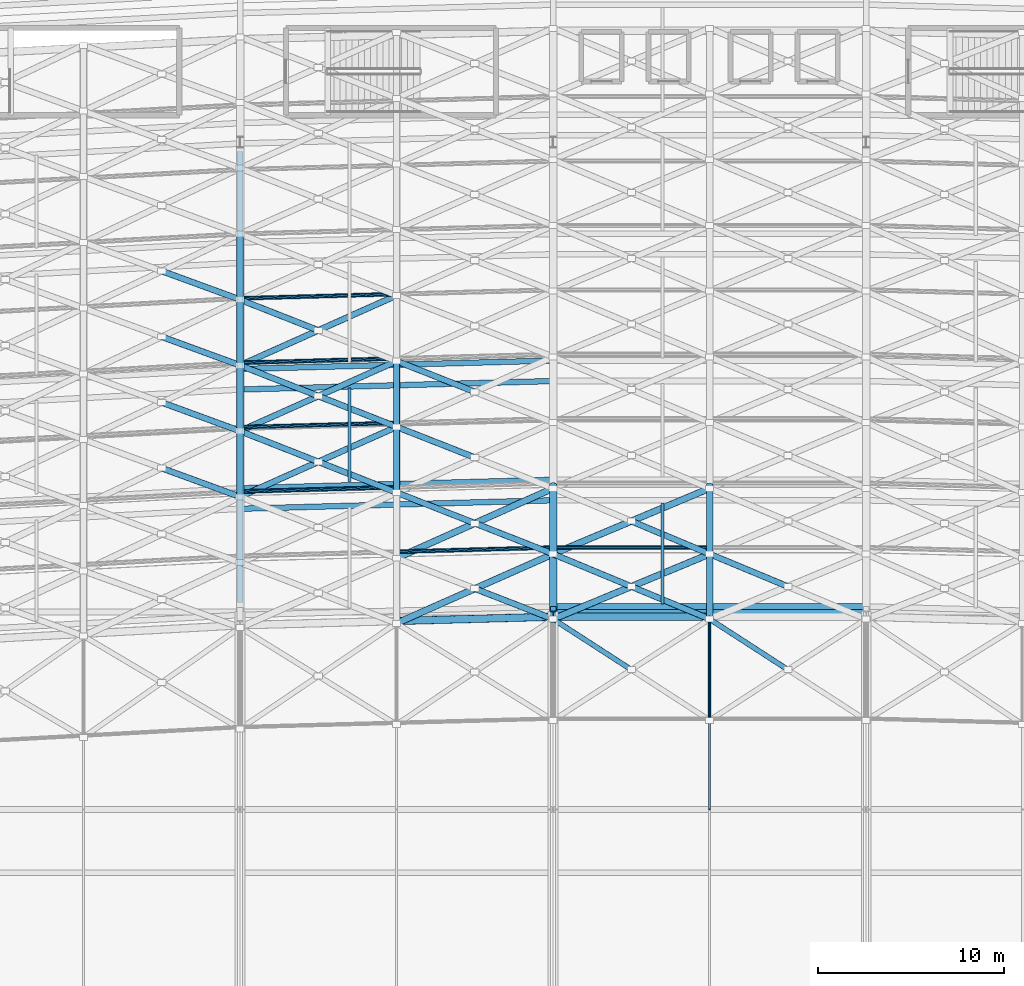
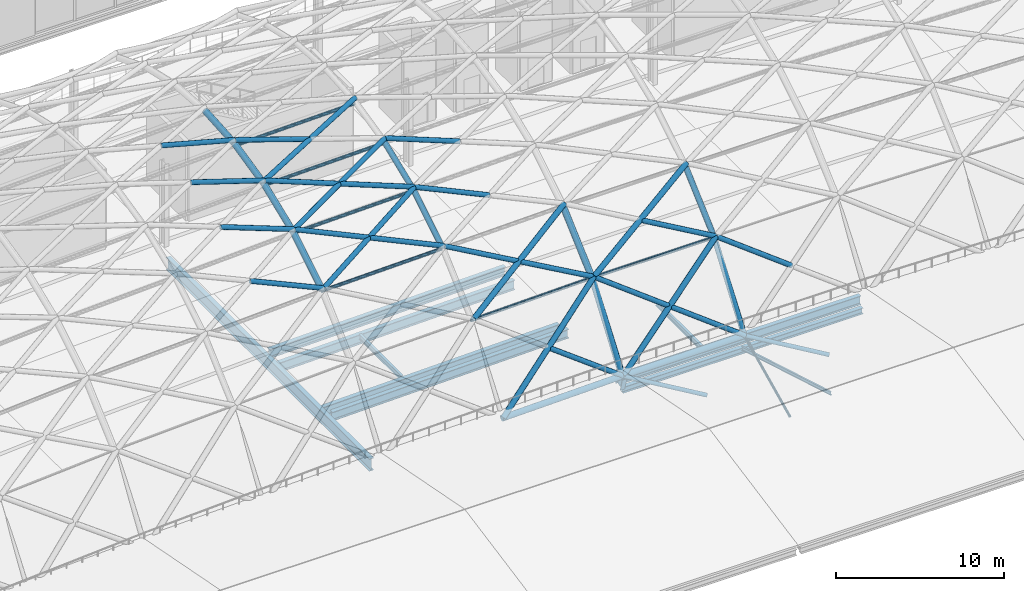
# One storey, part 18 of 100: 48 members, 9 beams.
"""IFC4 building model written with IfcOpenShell, lengths in metres."""

from ifc_helpers import new_model, si_unit, direction, frame, origin, origin_2d, place, context, subcontext, project, spatial, hollow_circle, i_section, extrude, material, material_profile, profile_set, type_object, element, save


model = new_model("IFC4")

# Units and contexts
model_context = context("Model", 3, precision=1e-05, world=origin(), true_north=direction((0.0, 1.0)))
body_context = subcontext(model_context, "Body", "Model", "MODEL_VIEW")
ifc_project = project(units=[si_unit("LENGTHUNIT", "METRE"), si_unit("AREAUNIT", "SQUARE_METRE"), si_unit("VOLUMEUNIT", "CUBIC_METRE"), si_unit("PLANEANGLEUNIT", "RADIAN"), si_unit("MASSUNIT", "GRAM", prefix="KILO")], contexts=[model_context])

# Site, building, storey
site_placement = place(None, origin())
site = spatial("IfcSite", under=ifc_project, at=site_placement, CompositionType="ELEMENT")
building_placement = place(site_placement, origin())
building = spatial("IfcBuilding", under=site, at=building_placement, Name="Kimbaza Rail Terminus", CompositionType="ELEMENT")
storey_placement = place(building_placement, frame((0.0, 0.0, 10.800048828125)))
storey = spatial("IfcBuildingStorey", under=building, at=storey_placement, Name="L02", CompositionType="ELEMENT", Elevation=10.800048828125)

# Beams
ifc_material_1 = material(Name="Steel S355", Category="steel")
ifc_material_profile_1 = material_profile(ifc_material_1, i_section(OverallWidth=0.300048828125, OverallDepth=0.43994140625, WebThickness=0.011474609375, FlangeThickness=0.02099609375, FilletRadius=0.027099609375, at=origin_2d()), Name="HEA 450")
ifc_profile_set_1 = profile_set([ifc_material_profile_1], Name="Steel S355")
beam_type_1 = type_object("IfcBeamType", Name="STR-BM-HEA450", PredefinedType="SPANDREL", material=ifc_profile_set_1)
beam_1_placement = place(storey_placement, frame((105.74609375, 55.0, -1.179931640625), z_axis=(1.0, 0.0, 0.0), x_axis=(0.0, 1.0, 0.0)))
element("IfcBeam", 1, at=beam_1_placement, inside=storey, type_object=beam_type_1, Name="Beam BM-SKYEDGE-55-3", PredefinedType="SPANDREL", context=body_context, shape_type="SweptSolid", body=[
    extrude(i_section(OverallWidth=0.300048828125, OverallDepth=0.43994140625, WebThickness=0.011474609375, FlangeThickness=0.02099609375, FilletRadius=0.027099609375, at=origin_2d()), origin(), (0.0, 0.0, 1.0), 16.5078125),
])
ifc_material_2 = material(Name="Steel S355", Category="steel")
ifc_material_profile_2 = material_profile(ifc_material_2, i_section(OverallWidth=0.300048828125, OverallDepth=0.64990234375, WebThickness=0.01611328125, FlangeThickness=0.031005859375, FilletRadius=0.027099609375, at=origin_2d()), Name="HEB 650")
ifc_profile_set_2 = profile_set([ifc_material_profile_2], Name="Steel S355")
beam_type_2 = type_object("IfcBeamType", Name="STR-BM-HEB650", PredefinedType="USERDEFINED", material=ifc_profile_set_2)
for number, where, z_axis, x_axis, name in (
    (2, (88.945068359375, 60.541748046875, -0.5849609375), (0.999632852013, 0.027095408765, 0.0), (-0.027095408765, 0.999632852013, 0.0), "Viaduct Chorded Girder P1 Bay 05"),
    (3, (88.945068359375, 68.041748046875, -0.5849609375), (0.999632852013, 0.027095408765, 0.0), (-0.027095408765, 0.999632852013, 0.0), "Viaduct Chorded Girder P2 Bay 05"),
):
    element("IfcBeam", number, at=place(storey_placement, frame(where, z_axis=z_axis, x_axis=x_axis)), inside=storey, type_object=beam_type_2, Name=name, ObjectType="GIRDER", PredefinedType="USERDEFINED", context=body_context, shape_type="SweptSolid", body=[
        extrude(i_section(OverallWidth=0.300048828125, OverallDepth=0.64990234375, WebThickness=0.01611328125, FlangeThickness=0.031005859375, FilletRadius=0.027099609375, at=origin_2d()), origin(), (0.0, 0.0, 1.0), 16.51611328125),
    ])
beam_2_placement = place(storey_placement, frame((105.7451171875, 55.293212890625, -0.5849609375), z_axis=(1.0, 0.0, 0.0), x_axis=(0.0, 1.0, 0.0)))
element("IfcBeam", 4, at=beam_2_placement, inside=storey, type_object=beam_type_2, Name="Viaduct Chorded Girder P1 Bay 06", ObjectType="GIRDER", PredefinedType="USERDEFINED", context=body_context, shape_type="SweptSolid", body=[
    extrude(i_section(OverallWidth=0.300048828125, OverallDepth=0.64990234375, WebThickness=0.01611328125, FlangeThickness=0.031005859375, FilletRadius=0.027099609375, at=origin_2d()), origin(), (0.0, 0.0, 1.0), 16.509765625),
])
ifc_material_3 = material(Name="Steel S355", Category="steel")
ifc_material_profile_3 = material_profile(ifc_material_3, i_section(OverallWidth=0.300048828125, OverallDepth=0.699951171875, WebThickness=0.01708984375, FlangeThickness=0.031982421875, FilletRadius=0.027099609375, at=origin_2d()), Name="HEB 700")
ifc_profile_set_3 = profile_set([ifc_material_profile_3], Name="Steel S355")
beam_type_3 = type_object("IfcBeamType", Name="STR-BM-HEB700", PredefinedType="USERDEFINED", material=ifc_profile_set_3)
for number, where, z_axis, x_axis, name in (
    (5, (88.945068359375, 61.6416015625, -0.920166015625), (0.999632852013, 0.027095408765, 0.0), (-0.027095408765, 0.999632852013, 0.0), "Viaduct Chorded Girder TR12 Bay 05"),
    (6, (88.945068359375, 66.941650390625, -0.920166015625), (0.999632852013, 0.027095408765, 0.0), (-0.027095408765, 0.999632852013, 0.0), "Viaduct Chorded Girder TR12 Bay 05"),
):
    element("IfcBeam", number, at=place(storey_placement, frame(where, z_axis=z_axis, x_axis=x_axis)), inside=storey, type_object=beam_type_3, Name=name, ObjectType="GIRDER", PredefinedType="USERDEFINED", context=body_context, shape_type="SweptSolid", body=[
        extrude(i_section(OverallWidth=0.300048828125, OverallDepth=0.699951171875, WebThickness=0.01708984375, FlangeThickness=0.031982421875, FilletRadius=0.027099609375, at=origin_2d()), origin(), (0.0, 0.0, 1.0), 16.51611328125),
    ])
ifc_material_4 = material(Name="Steel S355", Category="steel")
ifc_material_profile_4 = material_profile(ifc_material_4, i_section(OverallWidth=0.302001953125, OverallDepth=0.909912109375, WebThickness=0.02099609375, FlangeThickness=0.0400390625, FilletRadius=0.030029296875, at=origin_2d()), Name="HEM 900")
ifc_profile_set_4 = profile_set([ifc_material_profile_4], Name="Steel S355")
beam_type_4 = type_object("IfcBeamType", Name="STR-BM-HEM900", PredefinedType="USERDEFINED", material=ifc_profile_set_4)
beam_3_placement = place(storey_placement, frame((88.800048828125, 55.498046875, -1.025146484375), z_axis=(0.0, 1.0, 0.0), x_axis=(-1.0, 0.0, 0.0)))
element("IfcBeam", 7, at=beam_3_placement, inside=storey, type_object=beam_type_4, Name="Warren Transfer Truss WT-02 Top Chord", ObjectType="GIRDER", PredefinedType="USERDEFINED", context=body_context, shape_type="SweptSolid", body=[
    extrude(i_section(OverallWidth=0.302001953125, OverallDepth=0.909912109375, WebThickness=0.02099609375, FlangeThickness=0.0400390625, FilletRadius=0.030029296875, at=origin_2d()), origin(), (0.0, 0.0, 1.0), 24.203857421875),
])
ifc_material_5 = material(Name="Steel S355", Category="steel")
ifc_material_profile_5 = material_profile(ifc_material_5, i_section(OverallWidth=0.169921875, OverallDepth=0.360107421875, WebThickness=0.008056640625, FlangeThickness=0.0126953125, FilletRadius=0.01806640625, at=origin_2d()), Name="IPE 360")
ifc_profile_set_5 = profile_set([ifc_material_profile_5], Name="Steel S355")
beam_type_5 = type_object("IfcBeamType", Name="STR-BM-IPE360", PredefinedType="JOIST", material=ifc_profile_set_5)
beam_4_placement = place(storey_placement, frame((94.679931640625, 62.010498046875, -0.75), z_axis=(0.0, 1.0, 0.0), x_axis=(-1.0, 0.0, 0.0)))
element("IfcBeam", 8, at=beam_4_placement, inside=storey, type_object=beam_type_5, Name="Viaduct Diaphragm TR12 Bay 05", PredefinedType="JOIST", context=body_context, shape_type="SweptSolid", body=[
    extrude(i_section(OverallWidth=0.169921875, OverallDepth=0.360107421875, WebThickness=0.008056640625, FlangeThickness=0.0126953125, FilletRadius=0.01806640625, at=origin_2d()), origin(), (0.0, 0.0, 1.0), 5.010009765625),
])
beam_5_placement = place(storey_placement, frame((111.47998046875, 55.43798828125, -0.43994140625), z_axis=(0.0, 1.0, 0.0), x_axis=(-1.0, 0.0, 0.0)))
element("IfcBeam", 9, at=beam_5_placement, inside=storey, type_object=beam_type_5, Name="Viaduct Diaphragm P1 Bay 06", PredefinedType="JOIST", context=body_context, shape_type="SweptSolid", body=[
    extrude(i_section(OverallWidth=0.169921875, OverallDepth=0.360107421875, WebThickness=0.008056640625, FlangeThickness=0.0126953125, FilletRadius=0.01806640625, at=origin_2d()), origin(), (0.0, 0.0, 1.0), 5.41015625),
])

# Members
ifc_material_6 = material(Name="White painted steel S355", Category="steel")
ifc_material_profile_6 = material_profile(ifc_material_6, hollow_circle(Radius=0.084228515625, WallThickness=0.00634765625, at=origin_2d()), Name="CHS 168.3x6.3")
ifc_profile_set_6 = profile_set([ifc_material_profile_6], Name="White painted steel S355")
member_type_1 = type_object("IfcMemberType", Name="STR-MB-CHS168", PredefinedType="RAFTER", material=ifc_profile_set_6)
member_1_placement = place(storey_placement, frame((114.0, 49.292724609375, -2.609375), z_axis=(0.0, 0.901963905621, 0.431811432174), x_axis=(-1.0, 0.0, 0.0)))
element("IfcMember", 10, at=member_1_placement, inside=storey, type_object=member_type_1, Name="Vault lattice arch chord VR-11 seg 1", PredefinedType="RAFTER", context=body_context, shape_type="SweptSolid", body=[
    extrude(hollow_circle(Radius=0.084228515625, WallThickness=0.00634765625, at=origin_2d()), origin(), (0.0, 0.0, 1.0), 6.04296875),
])
ifc_material_7 = material(Name="White painted steel S355", Category="steel")
ifc_material_profile_7 = material_profile(ifc_material_7, hollow_circle(Radius=0.109619140625, WallThickness=0.008056640625, at=origin_2d()), Name="CHS 219.1x8")
ifc_profile_set_7 = profile_set([ifc_material_profile_7], Name="White painted steel S355")
member_type_2 = type_object("IfcMemberType", Name="STR-MB-CHS219", PredefinedType="PURLIN", material=ifc_profile_set_7)
for number, where, z_axis, x_axis, name in (
    (11, (88.800048828125, 61.45947265625, 7.9716796875), (0.999632526959, 0.027107398351, 0.0), (-0.027107398351, 0.999632526959, 0.0), "Vault lattice longitudinal purlin VR-08-VA03"),
    (12, (88.800048828125, 64.91650390625, 10.078857421875), (0.999632526959, 0.027107398351, 0.0), (-0.027107398351, 0.999632526959, 0.0), "Vault lattice longitudinal purlin VR-08-VA04"),
    (13, (88.800048828125, 68.37353515625, 11.462158203125), (0.999632526959, 0.027107398351, 0.0), (-0.027107398351, 0.999632526959, 0.0), "Vault lattice longitudinal purlin VR-08-VA05"),
    (14, (88.800048828125, 71.83056640625, 12.25244140625), (0.999632526959, 0.027107398351, 0.0), (-0.027107398351, 0.999632526959, 0.0), "Vault lattice longitudinal purlin VR-08-VA06"),
):
    element("IfcMember", number, at=place(storey_placement, frame(where, z_axis=z_axis, x_axis=x_axis)), inside=storey, type_object=member_type_2, Name=name, PredefinedType="PURLIN", context=body_context, shape_type="SweptSolid", body=[
        extrude(hollow_circle(Radius=0.109619140625, WallThickness=0.008056640625, at=origin_2d()), origin(), (0.0, 0.0, 1.0), 8.403076171875),
    ])
member_2_placement = place(storey_placement, frame((97.199951171875, 58.230224609375, 4.85205078125), z_axis=(0.999632548307, 0.027106611084, 0.0), x_axis=(-0.027106611084, 0.999632548307, 0.0)))
element("IfcMember", 15, at=member_2_placement, inside=storey, type_object=member_type_2, Name="Vault lattice longitudinal purlin VR-09-VA02", PredefinedType="PURLIN", context=body_context, shape_type="SweptSolid", body=[
    extrude(hollow_circle(Radius=0.109619140625, WallThickness=0.008056640625, at=origin_2d()), origin(), (0.0, 0.0, 1.0), 8.4033203125),
])
member_3_placement = place(storey_placement, frame((105.60009765625, 58.4580078125, 4.85205078125), z_axis=(1.0, 0.0, 0.0), x_axis=(0.0, 1.0, 0.0)))
element("IfcMember", 16, at=member_3_placement, inside=storey, type_object=member_type_2, Name="Vault lattice longitudinal purlin VR-10-VA02", PredefinedType="PURLIN", context=body_context, shape_type="SweptSolid", body=[
    extrude(hollow_circle(Radius=0.109619140625, WallThickness=0.008056640625, at=origin_2d()), origin(), (0.0, 0.0, 1.0), 8.39990234375),
])
ifc_material_8 = material(Name="White painted steel S355", Category="steel")
ifc_material_profile_8 = material_profile(ifc_material_8, hollow_circle(Radius=0.136474609375, WallThickness=0.010009765625, at=origin_2d()), Name="CHS 273x10")
ifc_profile_set_8 = profile_set([ifc_material_profile_8], Name="White painted steel S355")
member_type_3 = type_object("IfcMemberType", Name="STR-MB-CHS273", PredefinedType="STRUT", material=ifc_profile_set_8)
for number, where, z_axis, x_axis, name in (
    (17, (109.800048828125, 51.90185546875, -1.154296875), (-0.815788577495, 0.527704196383, 0.236679694837), (-0.543135919383, -0.839644789822, 0.0), "Vault lattice diagonal B2 VR-10-VA00"),
    (18, (118.199951171875, 51.90185546875, -1.154296875), (-0.815788577495, 0.527704196383, 0.236679694837), (-0.543135919383, -0.839644789822, 0.0), "Vault lattice diagonal B2 VR-11-VA00"),
):
    element("IfcMember", number, at=place(storey_placement, frame(where, z_axis=z_axis, x_axis=x_axis)), inside=storey, type_object=member_type_3, Name=name, PredefinedType="STRUT", context=body_context, shape_type="SweptSolid", body=[
        extrude(hollow_circle(Radius=0.136474609375, WallThickness=0.010009765625, at=origin_2d()), origin(), (0.0, 0.0, 1.0), 5.1484375),
    ])
ifc_material_9 = material(Name="White painted steel S355", Category="steel")
ifc_material_profile_9 = material_profile(ifc_material_9, hollow_circle(Radius=0.161865234375, WallThickness=0.010009765625, at=origin_2d()), Name="CHS 323.9x10")
ifc_profile_set_9 = profile_set([ifc_material_profile_9], Name="White painted steel S355")
member_type_4 = type_object("IfcMemberType", Name="STR-MB-CHS323", PredefinedType="STRUT", material=ifc_profile_set_9)
member_4_placement = place(storey_placement, frame((88.800048828125, 61.180908203125, 8.350341796875), z_axis=(-0.913204657707, 0.333845497432, 0.233675922992), x_axis=(-0.343351337448, -0.939207037385, 0.0)))
element("IfcMember", 19, at=member_4_placement, inside=storey, type_object=member_type_4, Name="Vault lattice diagonal B1 VR-07-VA03", PredefinedType="STRUT", context=body_context, shape_type="SweptSolid", body=[
    extrude(hollow_circle(Radius=0.161865234375, WallThickness=0.010009765625, at=origin_2d()), origin(), (0.0, 0.0, 1.0), 4.59912109375),
])
member_5_placement = place(storey_placement, frame((88.800048828125, 64.707763671875, 10.499755859375), z_axis=(-0.927739331277, 0.339105093011, 0.155908527973), x_axis=(-0.343303176831, -0.939224642339, 0.0)))
element("IfcMember", 20, at=member_5_placement, inside=storey, type_object=member_type_4, Name="Vault lattice diagonal B1 VR-07-VA04", PredefinedType="STRUT", context=body_context, shape_type="SweptSolid", body=[
    extrude(hollow_circle(Radius=0.161865234375, WallThickness=0.010009765625, at=origin_2d()), origin(), (0.0, 0.0, 1.0), 4.527099609375),
])
member_6_placement = place(storey_placement, frame((88.800048828125, 68.234375, 11.9111328125), z_axis=(-0.935414732903, 0.34196496281, 0.089773279313), x_axis=(-0.343351337448, -0.939207037385, 0.0)))
element("IfcMember", 21, at=member_6_placement, inside=storey, type_object=member_type_4, Name="Vault lattice diagonal B1 VR-07-VA05", PredefinedType="STRUT", context=body_context, shape_type="SweptSolid", body=[
    extrude(hollow_circle(Radius=0.161865234375, WallThickness=0.010009765625, at=origin_2d()), origin(), (0.0, 0.0, 1.0), 4.489990234375),
])
member_7_placement = place(storey_placement, frame((88.800048828125, 71.760986328125, 12.71728515625), z_axis=(-0.938802154619, 0.343203322118, 0.029359737208), x_axis=(-0.343351337448, -0.939207037385, 0.0)))
element("IfcMember", 22, at=member_7_placement, inside=storey, type_object=member_type_4, Name="Vault lattice diagonal B1 VR-07-VA06", PredefinedType="STRUT", context=body_context, shape_type="SweptSolid", body=[
    extrude(hollow_circle(Radius=0.161865234375, WallThickness=0.010009765625, at=origin_2d()), origin(), (0.0, 0.0, 1.0), 4.4736328125),
])
member_8_placement = place(storey_placement, frame((88.800048828125, 61.180908203125, 8.350341796875), z_axis=(0.88902133096, 0.397354241339, 0.227487757885), x_axis=(-0.408053007434, 0.912958237338, 0.0)))
element("IfcMember", 23, at=member_8_placement, inside=storey, type_object=member_type_4, Name="Vault lattice diagonal A VR-08-VA03", PredefinedType="STRUT", context=body_context, shape_type="SweptSolid", body=[
    extrude(hollow_circle(Radius=0.161865234375, WallThickness=0.010009765625, at=origin_2d()), origin(), (0.0, 0.0, 1.0), 9.448486328125),
])
for number, where, z_axis, x_axis, name in (
    (24, (97.199951171875, 61.40869140625, 8.350341796875), (-0.905465763929, 0.355596506488, 0.231695651504), (-0.365543559049, -0.93079423421, 0.0), "Vault lattice diagonal B1 VR-08-VA03"),
    (25, (93.0, 63.05810546875, 9.425048828125), (-0.905448815974, 0.355642483842, 0.231691314766), (-0.36559043434, -0.93077582388, 0.0), "Vault lattice diagonal B2 VR-08-VA03"),
):
    element("IfcMember", number, at=place(storey_placement, frame(where, z_axis=z_axis, x_axis=x_axis)), inside=storey, type_object=member_type_4, Name=name, PredefinedType="STRUT", context=body_context, shape_type="SweptSolid", body=[
        extrude(hollow_circle(Radius=0.161865234375, WallThickness=0.010009765625, at=origin_2d()), origin(), (0.0, 0.0, 1.0), 4.638427734375),
    ])
member_9_placement = place(storey_placement, frame((88.800048828125, 64.707763671875, 10.499755859375), z_axis=(0.902402775683, 0.403335170739, 0.151624438942), x_axis=(-0.408053007434, 0.912958237338, 0.0)))
element("IfcMember", 26, at=member_9_placement, inside=storey, type_object=member_type_4, Name="Vault lattice diagonal A VR-08-VA04", PredefinedType="STRUT", context=body_context, shape_type="SweptSolid", body=[
    extrude(hollow_circle(Radius=0.161865234375, WallThickness=0.010009765625, at=origin_2d()), origin(), (0.0, 0.0, 1.0), 9.308349609375),
])
for number, where, z_axis, x_axis, name in (
    (27, (97.199951171875, 64.935302734375, 10.499755859375), (-0.919594023605, 0.361198443149, 0.154539692044), (-0.36559043434, -0.93077582388, 0.0), "Vault lattice diagonal B1 VR-08-VA04"),
    (28, (93.0, 66.5849609375, 11.20556640625), (-0.919619374323, 0.361154943494, 0.154490495367), (-0.365543559049, -0.93079423421, 0.0), "Vault lattice diagonal B2 VR-08-VA04"),
):
    element("IfcMember", number, at=place(storey_placement, frame(where, z_axis=z_axis, x_axis=x_axis)), inside=storey, type_object=member_type_4, Name=name, PredefinedType="STRUT", context=body_context, shape_type="SweptSolid", body=[
        extrude(hollow_circle(Radius=0.161865234375, WallThickness=0.010009765625, at=origin_2d()), origin(), (0.0, 0.0, 1.0), 4.567138671875),
    ])
member_10_placement = place(storey_placement, frame((88.800048828125, 68.234375, 11.9111328125), z_axis=(0.909473927831, 0.406495671167, 0.087283697893), x_axis=(-0.408053007434, 0.912958237338, 0.0)))
element("IfcMember", 29, at=member_10_placement, inside=storey, type_object=member_type_4, Name="Vault lattice diagonal A VR-08-VA05", PredefinedType="STRUT", context=body_context, shape_type="SweptSolid", body=[
    extrude(hollow_circle(Radius=0.161865234375, WallThickness=0.010009765625, at=origin_2d()), origin(), (0.0, 0.0, 1.0), 9.236083984375),
])
member_11_placement = place(storey_placement, frame((93.0, 70.111572265625, 12.314208984375), z_axis=(-0.927102528361, 0.364093744208, 0.088975543471), x_axis=(-0.365543559049, -0.93079423421, 0.0)))
element("IfcMember", 30, at=member_11_placement, inside=storey, type_object=member_type_4, Name="Vault lattice diagonal B2 VR-08-VA05", PredefinedType="STRUT", context=body_context, shape_type="SweptSolid", body=[
    extrude(hollow_circle(Radius=0.161865234375, WallThickness=0.010009765625, at=origin_2d()), origin(), (0.0, 0.0, 1.0), 4.5302734375),
])
member_12_placement = place(storey_placement, frame((105.60009765625, 54.61865234375, 0.064208984375), z_axis=(-0.811108518531, 0.315080110983, 0.492775298517), x_axis=(-0.362095870652, -0.9321408587, 0.0)))
element("IfcMember", 31, at=member_12_placement, inside=storey, type_object=member_type_4, Name="Vault lattice diagonal B1 VR-09-VA01", PredefinedType="STRUT", context=body_context, shape_type="SweptSolid", body=[
    extrude(hollow_circle(Radius=0.161865234375, WallThickness=0.010009765625, at=origin_2d()), origin(), (0.0, 0.0, 1.0), 5.17822265625),
])
member_13_placement = place(storey_placement, frame((105.60009765625, 58.10986328125, 5.167724609375), z_axis=(-0.877817398759, 0.344718341433, 0.332574622478), x_axis=(-0.365525150391, -0.930801463488, 0.0)))
element("IfcMember", 32, at=member_13_placement, inside=storey, type_object=member_type_4, Name="Vault lattice diagonal B1 VR-09-VA02", PredefinedType="STRUT", context=body_context, shape_type="SweptSolid", body=[
    extrude(hollow_circle(Radius=0.161865234375, WallThickness=0.010009765625, at=origin_2d()), origin(), (0.0, 0.0, 1.0), 4.784912109375),
])
member_14_placement = place(storey_placement, frame((101.39990234375, 59.75927734375, 6.759033203125), z_axis=(-0.877805691192, 0.34473378188, 0.33258951899), x_axis=(-0.365543559049, -0.93079423421, 0.0)))
element("IfcMember", 33, at=member_14_placement, inside=storey, type_object=member_type_4, Name="Vault lattice diagonal B2 VR-09-VA02", PredefinedType="STRUT", context=body_context, shape_type="SweptSolid", body=[
    extrude(hollow_circle(Radius=0.161865234375, WallThickness=0.010009765625, at=origin_2d()), origin(), (0.0, 0.0, 1.0), 4.78466796875),
])
member_15_placement = place(storey_placement, frame((101.39990234375, 63.285888671875, 9.425048828125), z_axis=(-0.905465763929, 0.355596506488, 0.231695651504), x_axis=(-0.365543559049, -0.93079423421, 0.0)))
element("IfcMember", 34, at=member_15_placement, inside=storey, type_object=member_type_4, Name="Vault lattice diagonal B2 VR-09-VA03", PredefinedType="STRUT", context=body_context, shape_type="SweptSolid", body=[
    extrude(hollow_circle(Radius=0.161865234375, WallThickness=0.010009765625, at=origin_2d()), origin(), (0.0, 0.0, 1.0), 4.638427734375),
])
member_16_placement = place(storey_placement, frame((101.39990234375, 66.8125, 11.20556640625), z_axis=(-0.91960161914, 0.361201426526, 0.154487512603), x_axis=(-0.36559043434, -0.93077582388, 0.0)))
element("IfcMember", 35, at=member_16_placement, inside=storey, type_object=member_type_4, Name="Vault lattice diagonal B2 VR-09-VA04", PredefinedType="STRUT", context=body_context, shape_type="SweptSolid", body=[
    extrude(hollow_circle(Radius=0.161865234375, WallThickness=0.010009765625, at=origin_2d()), origin(), (0.0, 0.0, 1.0), 4.567138671875),
])
for number, where, z_axis, x_axis, name in (
    (36, (114.0, 54.61865234375, 0.064208984375), (-0.805330579111, 0.334715668235, 0.489293449565), (-0.383795774212, -0.923418000527, 0.0), "Vault lattice diagonal B1 VR-10-VA01"),
    (37, (109.800048828125, 56.3642578125, 2.615966796875), (-0.805330579111, 0.334715668235, 0.489293449565), (-0.383795774212, -0.923418000527, 0.0), "Vault lattice diagonal B2 VR-10-VA01"),
):
    element("IfcMember", number, at=place(storey_placement, frame(where, z_axis=z_axis, x_axis=x_axis)), inside=storey, type_object=member_type_4, Name=name, PredefinedType="STRUT", context=body_context, shape_type="SweptSolid", body=[
        extrude(hollow_circle(Radius=0.161865234375, WallThickness=0.010009765625, at=origin_2d()), origin(), (0.0, 0.0, 1.0), 5.215087890625),
    ])
member_17_placement = place(storey_placement, frame((114.0, 58.10986328125, 5.167724609375), z_axis=(-0.870455373768, 0.365426304095, 0.329804576308), x_axis=(-0.38708395067, -0.922044475681, 0.0)))
element("IfcMember", 38, at=member_17_placement, inside=storey, type_object=member_type_4, Name="Vault lattice diagonal B1 VR-10-VA02", PredefinedType="STRUT", context=body_context, shape_type="SweptSolid", body=[
    extrude(hollow_circle(Radius=0.161865234375, WallThickness=0.010009765625, at=origin_2d()), origin(), (0.0, 0.0, 1.0), 4.824951171875),
])
member_18_placement = place(storey_placement, frame((118.199951171875, 56.3642578125, 2.615966796875), z_axis=(-0.805330579111, 0.334715668235, 0.489293449565), x_axis=(-0.383795774212, -0.923418000527, 0.0)))
element("IfcMember", 39, at=member_18_placement, inside=storey, type_object=member_type_4, Name="Vault lattice diagonal B2 VR-11-VA01", PredefinedType="STRUT", context=body_context, shape_type="SweptSolid", body=[
    extrude(hollow_circle(Radius=0.161865234375, WallThickness=0.010009765625, at=origin_2d()), origin(), (0.0, 0.0, 1.0), 5.215087890625),
])
ifc_material_10 = material(Name="White painted steel S355", Category="steel")
ifc_material_profile_10 = material_profile(ifc_material_10, hollow_circle(Radius=0.177734375, WallThickness=0.012451171875, at=origin_2d()), Name="CHS 355.6x12.5")
ifc_profile_set_10 = profile_set([ifc_material_profile_10], Name="White painted steel S355")
member_type_5 = type_object("IfcMemberType", Name="STR-MB-CHS355", PredefinedType="CHORD", material=ifc_profile_set_10)
member_19_placement = place(storey_placement, frame((97.199951171875, 61.58642578125, 8.108642578125), z_axis=(0.0, 0.853901304322, 0.520434974302), x_axis=(-1.0, 0.0, 0.0)))
element("IfcMember", 40, at=member_19_placement, inside=storey, type_object=member_type_5, Name="Vault lattice arch chord VR-09 seg 4", PredefinedType="CHORD", context=body_context, shape_type="SweptSolid", body=[
    extrude(hollow_circle(Radius=0.177734375, WallThickness=0.012451171875, at=origin_2d()), origin(), (0.0, 0.0, 1.0), 4.077880859375),
])
member_20_placement = place(storey_placement, frame((97.199951171875, 65.068603515625, 10.23095703125), z_axis=(0.0, 0.928422814748, 0.371525338375), x_axis=(-1.0, 0.0, 0.0)))
element("IfcMember", 41, at=member_20_placement, inside=storey, type_object=member_type_5, Name="Vault lattice arch chord VR-09 seg 5", PredefinedType="CHORD", context=body_context, shape_type="SweptSolid", body=[
    extrude(hollow_circle(Radius=0.177734375, WallThickness=0.012451171875, at=origin_2d()), origin(), (0.0, 0.0, 1.0), 3.7509765625),
])
member_21_placement = place(storey_placement, frame((114.0, 54.7431640625, 0.0), z_axis=(0.0, 0.585733481953, 0.810503724926), x_axis=(-1.0, 0.0, 0.0)))
element("IfcMember", 42, at=member_21_placement, inside=storey, type_object=member_type_5, Name="Vault lattice arch chord VR-11 seg 2", PredefinedType="CHORD", context=body_context, shape_type="SweptSolid", body=[
    extrude(hollow_circle(Radius=0.177734375, WallThickness=0.012451171875, at=origin_2d()), origin(), (0.0, 0.0, 1.0), 6.127197265625),
])
member_22_placement = place(storey_placement, frame((114.0, 58.33203125, 4.966064453125), z_axis=(0.0, 0.742379857618, 0.669979213859), x_axis=(-1.0, 0.0, 0.0)))
element("IfcMember", 43, at=member_22_placement, inside=storey, type_object=member_type_5, Name="Vault lattice arch chord VR-11 seg 3", PredefinedType="CHORD", context=body_context, shape_type="SweptSolid", body=[
    extrude(hollow_circle(Radius=0.177734375, WallThickness=0.012451171875, at=origin_2d()), origin(), (0.0, 0.0, 1.0), 4.690673828125),
])
member_23_placement = place(storey_placement, frame((97.199951171875, 54.390869140625, 0.064208984375), z_axis=(0.79932819992, 0.353886315848, 0.485632478598), x_axis=(-0.404828712992, 0.914392537774, 0.0)))
element("IfcMember", 44, at=member_23_placement, inside=storey, type_object=member_type_5, Name="Vault lattice diagonal A VR-09-VA01", PredefinedType="CHORD", context=body_context, shape_type="SweptSolid", body=[
    extrude(hollow_circle(Radius=0.177734375, WallThickness=0.012451171875, at=origin_2d()), origin(), (0.0, 0.0, 1.0), 10.509033203125),
])
member_24_placement = place(storey_placement, frame((97.199951171875, 57.882080078125, 5.167724609375), z_axis=(0.862804675979, 0.385625317732, 0.326896322146), x_axis=(-0.408043122478, 0.912962655424, 0.0)))
element("IfcMember", 45, at=member_24_placement, inside=storey, type_object=member_type_5, Name="Vault lattice diagonal A VR-09-VA02", PredefinedType="CHORD", context=body_context, shape_type="SweptSolid", body=[
    extrude(hollow_circle(Radius=0.177734375, WallThickness=0.012451171875, at=origin_2d()), origin(), (0.0, 0.0, 1.0), 9.73583984375),
])
member_25_placement = place(storey_placement, frame((105.60009765625, 54.61865234375, 0.064208984375), z_axis=(0.805330579111, 0.334715668235, 0.489293449565), x_axis=(-0.383795774212, 0.923418000527, 0.0)))
element("IfcMember", 46, at=member_25_placement, inside=storey, type_object=member_type_5, Name="Vault lattice diagonal A VR-10-VA01", PredefinedType="CHORD", context=body_context, shape_type="SweptSolid", body=[
    extrude(hollow_circle(Radius=0.177734375, WallThickness=0.012451171875, at=origin_2d()), origin(), (0.0, 0.0, 1.0), 10.430419921875),
])
member_26_placement = place(storey_placement, frame((105.60009765625, 58.10986328125, 5.167724609375), z_axis=(0.870447326145, 0.365448224907, 0.329801527164), x_axis=(-0.387106733867, 0.922034910725, 0.0)))
element("IfcMember", 47, at=member_26_placement, inside=storey, type_object=member_type_5, Name="Vault lattice diagonal A VR-10-VA02", PredefinedType="CHORD", context=body_context, shape_type="SweptSolid", body=[
    extrude(hollow_circle(Radius=0.177734375, WallThickness=0.012451171875, at=origin_2d()), origin(), (0.0, 0.0, 1.0), 9.650146484375),
])
ifc_material_11 = material(Name="White painted steel S355", Category="steel")
ifc_material_profile_11 = material_profile(ifc_material_11, hollow_circle(Radius=0.203125, WallThickness=0.01416015625, at=origin_2d()), Name="CHS 406.4x14.2")
ifc_profile_set_11 = profile_set([ifc_material_profile_11], Name="White painted steel S355")
member_type_6 = type_object("IfcMemberType", Name="STR-MB-CHS406", PredefinedType="CHORD", material=ifc_profile_set_11)
member_27_placement = place(storey_placement, frame((88.800048828125, 61.35888671875, 8.108642578125), z_axis=(0.0, 0.853901304322, 0.520434974302), x_axis=(-1.0, 0.0, 0.0)))
element("IfcMember", 48, at=member_27_placement, inside=storey, type_object=member_type_6, Name="Vault lattice arch chord VR-08 seg 4", PredefinedType="CHORD", context=body_context, shape_type="SweptSolid", body=[
    extrude(hollow_circle(Radius=0.203125, WallThickness=0.01416015625, at=origin_2d()), origin(), (0.0, 0.0, 1.0), 4.077880859375),
])
member_28_placement = place(storey_placement, frame((88.800048828125, 64.841064453125, 10.23095703125), z_axis=(0.0, 0.928413829694, 0.37154779078), x_axis=(-1.0, 0.0, 0.0)))
element("IfcMember", 49, at=member_28_placement, inside=storey, type_object=member_type_6, Name="Vault lattice arch chord VR-08 seg 5", PredefinedType="CHORD", context=body_context, shape_type="SweptSolid", body=[
    extrude(hollow_circle(Radius=0.203125, WallThickness=0.01416015625, at=origin_2d()), origin(), (0.0, 0.0, 1.0), 3.750732421875),
])
member_29_placement = place(storey_placement, frame((88.800048828125, 68.3232421875, 11.62451171875), z_axis=(0.0, 0.974845354939, 0.22288233208), x_axis=(-1.0, 0.0, 0.0)))
element("IfcMember", 50, at=member_29_placement, inside=storey, type_object=member_type_6, Name="Vault lattice arch chord VR-08 seg 6", PredefinedType="CHORD", context=body_context, shape_type="SweptSolid", body=[
    extrude(hollow_circle(Radius=0.203125, WallThickness=0.01416015625, at=origin_2d()), origin(), (0.0, 0.0, 1.0), 3.572021484375),
])
member_30_placement = place(storey_placement, frame((88.800048828125, 71.805419921875, 12.420654296875), z_axis=(0.0, 0.997239447362, 0.074252842537), x_axis=(-1.0, 0.0, 0.0)))
element("IfcMember", 51, at=member_30_placement, inside=storey, type_object=member_type_6, Name="Vault lattice arch chord VR-08 seg 7", PredefinedType="CHORD", context=body_context, shape_type="SweptSolid", body=[
    extrude(hollow_circle(Radius=0.203125, WallThickness=0.01416015625, at=origin_2d()), origin(), (0.0, 0.0, 1.0), 3.49169921875),
])
member_31_placement = place(storey_placement, frame((105.60009765625, 54.7431640625, 0.0), z_axis=(0.0, 0.585733481953, 0.810503724926), x_axis=(-1.0, 0.0, 0.0)))
element("IfcMember", 52, at=member_31_placement, inside=storey, type_object=member_type_6, Name="Vault lattice arch chord VR-10 seg 2", PredefinedType="CHORD", context=body_context, shape_type="SweptSolid", body=[
    extrude(hollow_circle(Radius=0.203125, WallThickness=0.01416015625, at=origin_2d()), origin(), (0.0, 0.0, 1.0), 6.127197265625),
])
member_32_placement = place(storey_placement, frame((105.60009765625, 58.33203125, 4.966064453125), z_axis=(0.0, 0.742379857618, 0.669979213859), x_axis=(-1.0, 0.0, 0.0)))
element("IfcMember", 53, at=member_32_placement, inside=storey, type_object=member_type_6, Name="Vault lattice arch chord VR-10 seg 3", PredefinedType="CHORD", context=body_context, shape_type="SweptSolid", body=[
    extrude(hollow_circle(Radius=0.203125, WallThickness=0.01416015625, at=origin_2d()), origin(), (0.0, 0.0, 1.0), 4.690673828125),
])
member_33_placement = place(storey_placement, frame((97.199951171875, 54.515380859375, 0.0), z_axis=(0.999632548307, 0.027106611084, 0.0), x_axis=(-0.027106611084, 0.999632548307, 0.0)))
element("IfcMember", 54, at=member_33_placement, inside=storey, type_object=member_type_6, Name="Vault lattice springing ring chord VR-09", PredefinedType="CHORD", context=body_context, shape_type="SweptSolid", body=[
    extrude(hollow_circle(Radius=0.203125, WallThickness=0.01416015625, at=origin_2d()), origin(), (0.0, 0.0, 1.0), 8.4033203125),
])
member_34_placement = place(storey_placement, frame((105.60009765625, 54.7431640625, 0.0), z_axis=(1.0, 0.0, 0.0), x_axis=(0.0, 1.0, 0.0)))
element("IfcMember", 55, at=member_34_placement, inside=storey, type_object=member_type_6, Name="Vault lattice springing ring chord VR-10", PredefinedType="CHORD", context=body_context, shape_type="SweptSolid", body=[
    extrude(hollow_circle(Radius=0.203125, WallThickness=0.01416015625, at=origin_2d()), origin(), (0.0, 0.0, 1.0), 8.39990234375),
])
ifc_material_12 = material(Name="Steel S355", Category="steel")
ifc_material_profile_12 = material_profile(ifc_material_12, i_section(OverallWidth=0.304931640625, OverallDepth=0.6201171875, WebThickness=0.02099609375, FlangeThickness=0.0400390625, FilletRadius=0.027099609375, at=origin_2d()), Name="HEM 600")
ifc_profile_set_12 = profile_set([ifc_material_profile_12], Name="Steel S355")
member_type_7 = type_object("IfcMemberType", Name="STR-MB-HEM600", PredefinedType="POST", material=ifc_profile_set_12)
member_35_placement = place(storey_placement, frame((105.60009765625, 55.0, -0.900146484375), z_axis=(0.0, -0.274376638557, 0.961622306425), x_axis=(1.0, 0.0, 0.0)))
element("IfcMember", 56, at=member_35_placement, inside=storey, type_object=member_type_7, Name="Vault Springing Shoe Pedestal S VP-06", PredefinedType="POST", context=body_context, shape_type="SweptSolid", body=[
    extrude(i_section(OverallWidth=0.304931640625, OverallDepth=0.6201171875, WebThickness=0.02099609375, FlangeThickness=0.0400390625, FilletRadius=0.027099609375, at=origin_2d()), origin(), (0.0, 0.0, 1.0), 0.93603515625),
])
ifc_material_13 = material(Name="Steel S355", Category="steel")
ifc_material_profile_13 = material_profile(ifc_material_13, i_section(OverallWidth=0.1201171875, OverallDepth=0.239990234375, WebThickness=0.006103515625, FlangeThickness=0.009765625, FilletRadius=0.014892578125, at=origin_2d()), Name="IPE 240")
ifc_profile_set_13 = profile_set([ifc_material_profile_13], Name="Steel S355")
member_type_8 = type_object("IfcMemberType", Name="STR-MB-IPE240", PredefinedType="PURLIN", material=ifc_profile_set_13)
member_36_placement = place(storey_placement, frame((114.0, 44.39990234375, 2.050048828125), z_axis=(0.0, 0.959059986523, -0.283203005371), x_axis=(-1.0, 0.0, 0.0)))
element("IfcMember", 57, at=member_36_placement, inside=storey, type_object=member_type_8, Name="Concourse Roof Rafter N4", PredefinedType="PURLIN", context=body_context, shape_type="SweptSolid", body=[
    extrude(i_section(OverallWidth=0.1201171875, OverallDepth=0.239990234375, WebThickness=0.006103515625, FlangeThickness=0.009765625, FilletRadius=0.014892578125, at=origin_2d()), origin(), (0.0, 0.0, 1.0), 11.052490234375),
])

save(model, "model.ifc")
